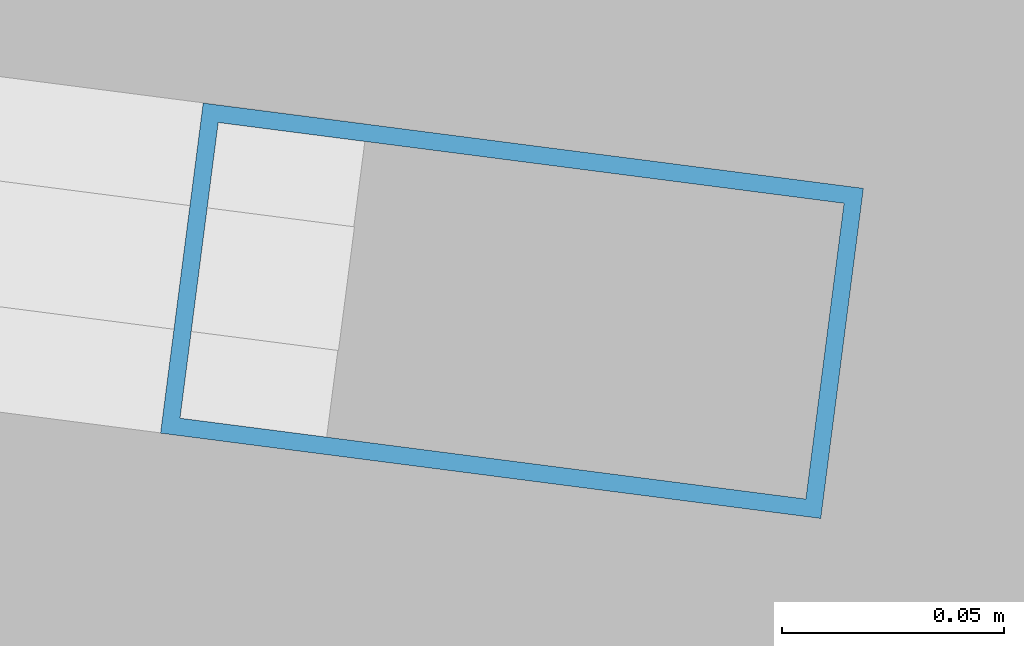
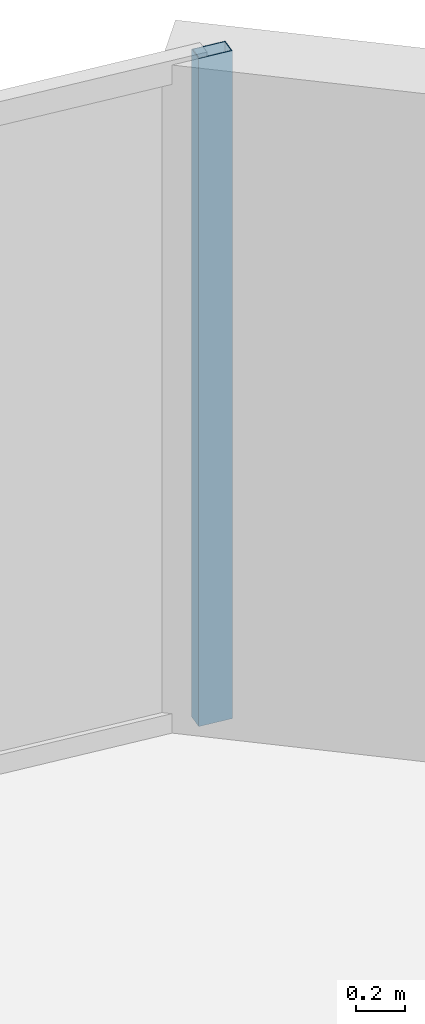
# One storey, part 19 of 31: 1 member, 1 element without a shape of its own.
"""IFC4 building model written with IfcOpenShell, lengths in metres."""

from ifc_helpers import new_model, si_unit, direction, frame, origin, origin_2d, place, context, subcontext, project, spatial, hollow_rectangle, extrude, material, layer, layer_set, material_profile, profile_set, type_object, element, aggregate, save


model = new_model("IFC4")

# Units and contexts
model_context = context("Model", 3, precision=1e-05, world=origin(), true_north=direction((0.0, 1.0)))
body_context = subcontext(model_context, "Body", "Model", "MODEL_VIEW")
ifc_project = project(units=[si_unit("LENGTHUNIT", "METRE"), si_unit("AREAUNIT", "SQUARE_METRE"), si_unit("VOLUMEUNIT", "CUBIC_METRE"), si_unit("PLANEANGLEUNIT", "RADIAN"), si_unit("MASSUNIT", "GRAM", prefix="KILO")], contexts=[model_context])

# Site, building, storey
site_placement = place(None, origin())
site = spatial("IfcSite", under=ifc_project, at=site_placement, CompositionType="ELEMENT")
building_placement = place(site_placement, origin())
building = spatial("IfcBuilding", under=site, at=building_placement, Name="Kazevale Care Tower and Concert Hall", CompositionType="ELEMENT")
storey_placement = place(building_placement, frame((0.0, 0.0, 63.60009765625)))
storey = spatial("IfcBuildingStorey", under=building, at=storey_placement, Name="L16", CompositionType="ELEMENT", Elevation=63.60009765625)

# Curtain wall, member
ifc_material_1 = material(Name="Aluminium 6063-T6 and Low-E Glass", Category="aluminium")
ifc_layer = layer(ifc_material_1, 0.179931640625)
ifc_layer_set = layer_set([ifc_layer], Name="Aluminium 6063-T6 and Low-E Glass")
curtain_wall_type = type_object("IfcCurtainWallType", Name="Convex Recessed Sunroom Curtain Wall CW-3", PredefinedType="NOTDEFINED", material=ifc_layer_set)
curtain_wall_placement = place(storey_placement, origin())
curtain_wall = element("IfcCurtainWall", 1, at=curtain_wall_placement, inside=storey, type_object=curtain_wall_type, Name="cw:L16:f16", PredefinedType="NOTDEFINED")
ifc_material_2 = material(Name="Aluminium 6063-T6", Category="aluminium")
ifc_material_profile = material_profile(ifc_material_2, hollow_rectangle(XDim=0.074951171875, YDim=0.14990234375, WallThickness=0.00390625, at=origin_2d()), Name="ALU75x150x4")
ifc_profile_set = profile_set([ifc_material_profile], Name="Aluminium 6063-T6")
member_type = type_object("IfcMemberType", Name="CW-3 Mullion ALU75x150x4", PredefinedType="MULLION", material=ifc_profile_set)
member_placement = place(storey_placement, frame((65.0029296875, 62.84375, 0.0), z_axis=(0.0, 0.0, 1.0), x_axis=(0.128086196538, 0.991763039368, 0.0)))
member = element("IfcMember", 2, at=member_placement, type_object=member_type, Name="CW-3 mullion 2", PredefinedType="MULLION", context=body_context, shape_type="SweptSolid", body=[
    extrude(hollow_rectangle(XDim=0.074951171875, YDim=0.14990234375, WallThickness=0.00390625, at=origin_2d()), origin(), (0.0, 0.0, 1.0), 3.35986328125),
])
aggregate(curtain_wall, [member])

save(model, "model.ifc")
